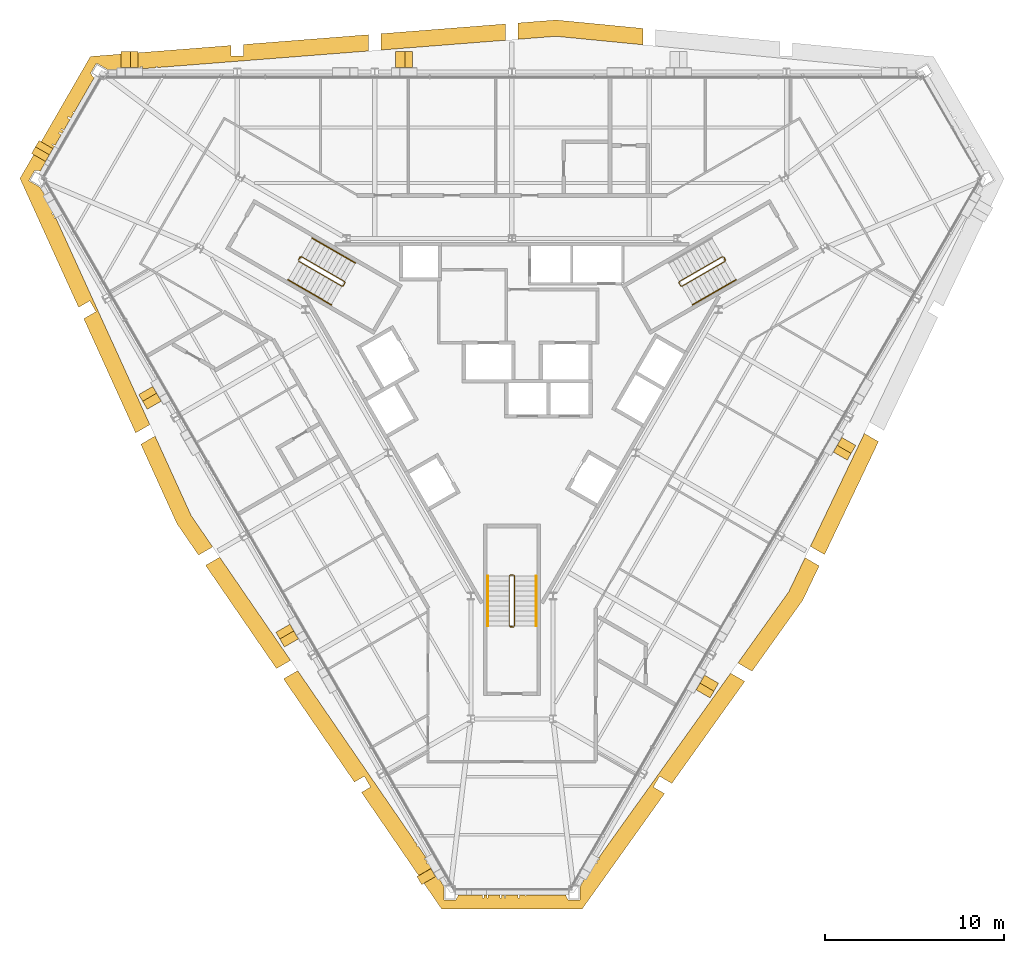
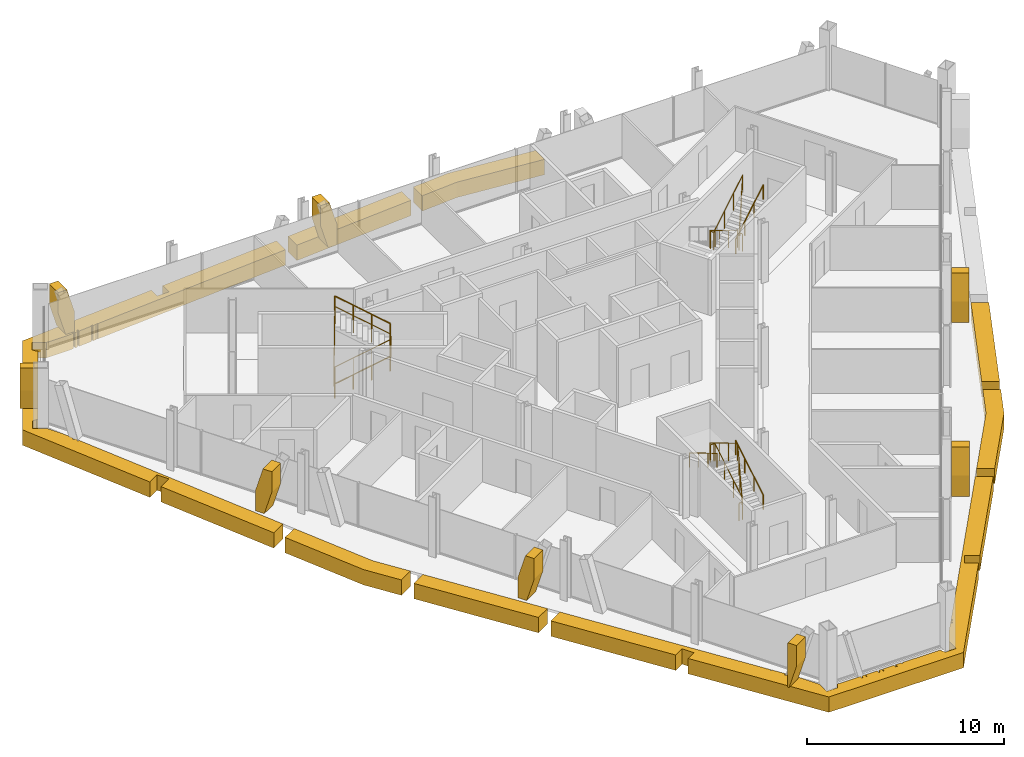
# One storey, part 12 of 13: 16 coverings, 8 railings.
"""IFC4 building model written with IfcOpenShell, lengths in metres."""

from ifc_helpers import new_model, si_unit, direction, frame, origin, origin_2d, place, context, subcontext, project, spatial, polyline, circle, outline, extrude, material, layer, layer_set, type_object, element, save


model = new_model("IFC4")

# Units and contexts
model_context = context("Model", 3, precision=1e-05, world=origin(), true_north=direction((0.0, 1.0)))
body_context = subcontext(model_context, "Body", "Model", "MODEL_VIEW")
ifc_project = project(units=[si_unit("LENGTHUNIT", "METRE"), si_unit("AREAUNIT", "SQUARE_METRE"), si_unit("VOLUMEUNIT", "CUBIC_METRE"), si_unit("PLANEANGLEUNIT", "RADIAN"), si_unit("MASSUNIT", "GRAM", prefix="KILO")], contexts=[model_context])

# Site, building, storey
site_placement = place(None, origin())
site = spatial("IfcSite", under=ifc_project, at=site_placement, CompositionType="ELEMENT")
building_placement = place(site_placement, origin())
building = spatial("IfcBuilding", under=site, at=building_placement, Name="Verrane Prism Tower", CompositionType="ELEMENT")
storey_placement = place(building_placement, frame((0.0, 0.0, 167.300048828125)))
storey = spatial("IfcBuildingStorey", under=building, at=storey_placement, Name="L41", CompositionType="ELEMENT", Elevation=167.300048828125)

# Railings
ifc_material_1 = material(Name="Steel A36 rail and posts, no infill", Category="steel")
railing_type_1 = type_object("IfcRailingType", Name="Stair guard 1100 steel rail and posts", PredefinedType="GUARDRAIL", material=ifc_material_1)
railing_1_placement = place(storey_placement, frame((11.78955078125, 6.97998046875, 0.168212890625)))
element("IfcRailing", 1, at=railing_1_placement, inside=storey, type_object=railing_type_1, Name="Stair 1 guard", PredefinedType="GUARDRAIL", context=body_context, shape_type="SweptSolid", body=[
    extrude(circle(Radius=0.02392578125, at=origin_2d()), frame((0.0, 0.0, 1.076171875), z_axis=(-0.742395268701, -0.428678701772, 0.514862928999), x_axis=(0.500049511043, -0.865996816683, 0.0)), (0.0, 0.0, 1.0), 3.26611328125),
    extrude(circle(Radius=0.02392578125, at=origin_2d()), frame((-2.4248046875, -1.400146484375, 2.7578125), z_axis=(-0.259601060869, -0.965715946433, 0.0), x_axis=(0.965715946433, -0.259601060869, 0.0)), (0.0, 0.0, 1.0), 0.070556640625),
    extrude(circle(Radius=0.02392578125, at=origin_2d()), frame((-2.443115234375, -1.46826171875, 2.7578125), z_axis=(0.499158860599, -0.866510491504, 0.0), x_axis=(0.866510491504, 0.499158860599, 0.0)), (0.0, 0.0, 1.0), 0.199951171875),
    extrude(circle(Radius=0.02392578125, at=origin_2d()), frame((-2.34326171875, -1.6416015625, 2.7578125), z_axis=(0.374585375571, -0.100335368456, 0.921747584887), x_axis=(0.258736085224, 0.965948051503, 0.0)), (0.0, 0.0, 1.0), 0.182373046875),
    extrude(circle(Radius=0.02392578125, at=origin_2d()), frame((-2.27490234375, -1.659912109375, 2.92578125), z_axis=(0.742366697286, 0.42866220388, 0.514917859203), x_axis=(-0.500049511043, 0.865996816683, 0.0)), (0.0, 0.0, 1.0), 3.266357421875),
    extrude(circle(Radius=0.02392578125, at=origin_2d()), frame((0.14990234375, -0.259765625, 4.60791015625), z_axis=(-0.021986835041, 0.065104730107, -0.997636182785), x_axis=(-0.947430582667, -0.3199613899, 0.0)), (0.0, 0.0, 1.0), 3.708740234375),
    extrude(circle(Radius=0.02392578125, at=origin_2d()), frame((0.068359375, -0.018310546875, 0.90771484375), z_axis=(0.499158860599, -0.866510491504, 0.0), x_axis=(0.866510491504, 0.499158860599, 0.0)), (0.0, 0.0, 1.0), 0.199951171875),
    extrude(circle(Radius=0.02099609375, at=origin_2d()), origin(), (0.0, 0.0, 1.0), 1.052001953125),
    extrude(circle(Radius=0.02099609375, at=origin_2d()), frame((-0.808349609375, -0.466796875, 0.560546875)), (0.0, 0.0, 1.0), 1.052001953125),
    extrude(circle(Radius=0.02099609375, at=origin_2d()), frame((-1.616455078125, -0.933349609375, 1.12109375)), (0.0, 0.0, 1.0), 1.052001953125),
    extrude(circle(Radius=0.02099609375, at=origin_2d()), frame((-2.4248046875, -1.400146484375, 1.681640625)), (0.0, 0.0, 1.0), 1.052001953125),
    extrude(circle(Radius=0.02099609375, at=origin_2d()), frame((-2.443115234375, -1.46826171875, 1.681640625)), (0.0, 0.0, 1.0), 1.052001953125),
    extrude(circle(Radius=0.02099609375, at=origin_2d()), frame((-2.34326171875, -1.6416015625, 1.681640625)), (0.0, 0.0, 1.0), 1.052001953125),
    extrude(circle(Radius=0.02099609375, at=origin_2d()), frame((-2.27490234375, -1.659912109375, 1.849853515625)), (0.0, 0.0, 1.0), 1.052001953125),
    extrude(circle(Radius=0.02099609375, at=origin_2d()), frame((-1.466552734375, -1.193115234375, 2.410400390625)), (0.0, 0.0, 1.0), 1.052001953125),
    extrude(circle(Radius=0.02099609375, at=origin_2d()), frame((-0.658447265625, -0.7265625, 2.97119140625)), (0.0, 0.0, 1.0), 1.052001953125),
    extrude(circle(Radius=0.02099609375, at=origin_2d()), frame((0.14990234375, -0.259765625, 3.53173828125)), (0.0, 0.0, 1.0), 1.052001953125),
    extrude(circle(Radius=0.02099609375, at=origin_2d()), frame((0.12939453125, -0.199462890625, 2.606689453125)), (0.0, 0.0, 1.0), 1.052001953125),
    extrude(circle(Radius=0.02099609375, at=origin_2d()), frame((0.109130859375, -0.13916015625, 1.681640625)), (0.0, 0.0, 1.0), 1.052001953125),
    extrude(circle(Radius=0.02099609375, at=origin_2d()), frame((0.0888671875, -0.07861328125, 0.7568359375)), (0.0, 0.0, 1.0), 1.052001953125),
    extrude(circle(Radius=0.02099609375, at=origin_2d()), frame((0.068359375, -0.018310546875, -0.168212890625)), (0.0, 0.0, 1.0), 1.052001953125),
    extrude(circle(Radius=0.02099609375, at=origin_2d()), frame((0.168212890625, -0.191650390625, -0.168212890625)), (0.0, 0.0, 1.0), 1.052001953125),
])
railing_2_placement = place(storey_placement, frame((-11.939453125, 6.72021484375, 0.168212890625)))
element("IfcRailing", 2, at=railing_2_placement, inside=storey, type_object=railing_type_1, Name="Stair 2 guard", PredefinedType="GUARDRAIL", context=body_context, shape_type="SweptSolid", body=[
    extrude(circle(Radius=0.02392578125, at=origin_2d()), frame((0.0, 0.0, 1.076171875), z_axis=(0.742395268701, -0.428678701772, 0.514862928999), x_axis=(0.500049511043, 0.865996816683, 0.0)), (0.0, 0.0, 1.0), 3.26611328125),
    extrude(circle(Radius=0.02392578125, at=origin_2d()), frame((2.4248046875, -1.400146484375, 2.7578125), z_axis=(0.965948051503, 0.258736085224, 0.0), x_axis=(-0.258736085224, 0.965948051503, 0.0)), (0.0, 0.0, 1.0), 0.07080078125),
    extrude(circle(Radius=0.02392578125, at=origin_2d()), frame((2.4931640625, -1.3818359375, 2.7578125), z_axis=(0.499158860599, 0.866510491504, 0.0), x_axis=(-0.866510491504, 0.499158860599, 0.0)), (0.0, 0.0, 1.0), 0.199951171875),
    extrude(circle(Radius=0.02392578125, at=origin_2d()), frame((2.593017578125, -1.20849609375, 2.7578125), z_axis=(-0.100385596638, 0.373434419493, 0.922209014446), x_axis=(-0.965715946433, -0.259601060869, 0.0)), (0.0, 0.0, 1.0), 0.182373046875),
    extrude(circle(Radius=0.02392578125, at=origin_2d()), frame((2.57470703125, -1.140380859375, 2.92578125), z_axis=(-0.742366697286, 0.42866220388, 0.514917859203), x_axis=(-0.500049511043, -0.865996816683, 0.0)), (0.0, 0.0, 1.0), 3.266357421875),
    extrude(circle(Radius=0.02392578125, at=origin_2d()), frame((0.14990234375, 0.259765625, 4.60791015625), z_axis=(-0.04535595117, -0.051675503147, -0.99763343973), x_axis=(0.751567565678, -0.659656118156, 0.0)), (0.0, 0.0, 1.0), 3.708740234375),
    extrude(circle(Radius=0.02392578125, at=origin_2d()), frame((-0.018310546875, 0.068115234375, 0.90771484375), z_axis=(0.499158860599, 0.866510491504, 0.0), x_axis=(-0.866510491504, 0.499158860599, 0.0)), (0.0, 0.0, 1.0), 0.199951171875),
    extrude(circle(Radius=0.02099609375, at=origin_2d()), origin(), (0.0, 0.0, 1.0), 1.052001953125),
    extrude(circle(Radius=0.02099609375, at=origin_2d()), frame((0.808349609375, -0.466796875, 0.560546875)), (0.0, 0.0, 1.0), 1.052001953125),
    extrude(circle(Radius=0.02099609375, at=origin_2d()), frame((1.616455078125, -0.933349609375, 1.12109375)), (0.0, 0.0, 1.0), 1.052001953125),
    extrude(circle(Radius=0.02099609375, at=origin_2d()), frame((2.4248046875, -1.400146484375, 1.681640625)), (0.0, 0.0, 1.0), 1.052001953125),
    extrude(circle(Radius=0.02099609375, at=origin_2d()), frame((2.4931640625, -1.3818359375, 1.681640625)), (0.0, 0.0, 1.0), 1.052001953125),
    extrude(circle(Radius=0.02099609375, at=origin_2d()), frame((2.593017578125, -1.20849609375, 1.681640625)), (0.0, 0.0, 1.0), 1.052001953125),
    extrude(circle(Radius=0.02099609375, at=origin_2d()), frame((2.57470703125, -1.140380859375, 1.849853515625)), (0.0, 0.0, 1.0), 1.052001953125),
    extrude(circle(Radius=0.02099609375, at=origin_2d()), frame((1.766357421875, -0.673583984375, 2.410400390625)), (0.0, 0.0, 1.0), 1.052001953125),
    extrude(circle(Radius=0.02099609375, at=origin_2d()), frame((0.958251953125, -0.20703125, 2.97119140625)), (0.0, 0.0, 1.0), 1.052001953125),
    extrude(circle(Radius=0.02099609375, at=origin_2d()), frame((0.14990234375, 0.259765625, 3.53173828125)), (0.0, 0.0, 1.0), 1.052001953125),
    extrude(circle(Radius=0.02099609375, at=origin_2d()), frame((0.10791015625, 0.2119140625, 2.606689453125)), (0.0, 0.0, 1.0), 1.052001953125),
    extrude(circle(Radius=0.02099609375, at=origin_2d()), frame((0.06591796875, 0.1640625, 1.681640625)), (0.0, 0.0, 1.0), 1.052001953125),
    extrude(circle(Radius=0.02099609375, at=origin_2d()), frame((0.023681640625, 0.115966796875, 0.7568359375)), (0.0, 0.0, 1.0), 1.052001953125),
    extrude(circle(Radius=0.02099609375, at=origin_2d()), frame((-0.018310546875, 0.068115234375, -0.168212890625)), (0.0, 0.0, 1.0), 1.052001953125),
    extrude(circle(Radius=0.02099609375, at=origin_2d()), frame((0.08154296875, 0.241455078125, -0.168212890625)), (0.0, 0.0, 1.0), 1.052001953125),
])
railing_3_placement = place(storey_placement, frame((0.14990234375, -13.699951171875, 0.168212890625)))
element("IfcRailing", 3, at=railing_3_placement, inside=storey, type_object=railing_type_1, Name="Stair 3 guard", PredefinedType="GUARDRAIL", context=body_context, shape_type="SweptSolid", body=[
    extrude(circle(Radius=0.02392578125, at=origin_2d()), frame((0.0, 0.0, 1.076171875), z_axis=(0.0, 0.857275202839, 0.514858452973), x_axis=(-1.0, 0.0, 0.0)), (0.0, 0.0, 1.0), 3.26611328125),
    extrude(circle(Radius=0.02392578125, at=origin_2d()), frame((0.0, 2.800048828125, 2.7578125), z_axis=(-0.707106781187, 0.707106781187, 0.0), x_axis=(-0.707106781187, -0.707106781187, 0.0)), (0.0, 0.0, 1.0), 0.0703125),
    extrude(circle(Radius=0.02392578125, at=origin_2d()), frame((-0.0498046875, 2.849853515625, 2.7578125), z_axis=(-1.0, 0.0, 0.0), x_axis=(0.0, -1.0, 0.0)), (0.0, 0.0, 1.0), 0.2001953125),
    extrude(circle(Radius=0.02392578125, at=origin_2d()), frame((-0.25, 2.849853515625, 2.7578125), z_axis=(-0.273106073848, -0.273106073848, 0.922402376869), x_axis=(0.707106781187, -0.707106781187, 0.0)), (0.0, 0.0, 1.0), 0.182373046875),
    extrude(circle(Radius=0.02392578125, at=origin_2d()), frame((-0.2998046875, 2.800048828125, 2.92578125), z_axis=(0.0, -0.857242210791, 0.514913383045), x_axis=(1.0, 0.0, 0.0)), (0.0, 0.0, 1.0), 3.266357421875),
    extrude(circle(Radius=0.02392578125, at=origin_2d()), frame((-0.2998046875, 0.0, 4.60791015625), z_axis=(0.067408604812, -0.013494886706, -0.997634185476), x_axis=(0.196300278283, 0.98054382908, 0.0)), (0.0, 0.0, 1.0), 3.708740234375),
    extrude(circle(Radius=0.02392578125, at=origin_2d()), frame((-0.0498046875, -0.050048828125, 0.90771484375), z_axis=(-1.0, 0.0, 0.0), x_axis=(0.0, -1.0, 0.0)), (0.0, 0.0, 1.0), 0.2001953125),
    extrude(circle(Radius=0.02099609375, at=origin_2d()), origin(), (0.0, 0.0, 1.0), 1.052001953125),
    extrude(circle(Radius=0.02099609375, at=origin_2d()), frame((0.0, 0.933349609375, 0.560546875)), (0.0, 0.0, 1.0), 1.052001953125),
    extrude(circle(Radius=0.02099609375, at=origin_2d()), frame((0.0, 1.86669921875, 1.12109375)), (0.0, 0.0, 1.0), 1.052001953125),
    extrude(circle(Radius=0.02099609375, at=origin_2d()), frame((0.0, 2.800048828125, 1.681640625)), (0.0, 0.0, 1.0), 1.052001953125),
    extrude(circle(Radius=0.02099609375, at=origin_2d()), frame((-0.0498046875, 2.849853515625, 1.681640625)), (0.0, 0.0, 1.0), 1.052001953125),
    extrude(circle(Radius=0.02099609375, at=origin_2d()), frame((-0.25, 2.849853515625, 1.681640625)), (0.0, 0.0, 1.0), 1.052001953125),
    extrude(circle(Radius=0.02099609375, at=origin_2d()), frame((-0.2998046875, 2.800048828125, 1.849853515625)), (0.0, 0.0, 1.0), 1.052001953125),
    extrude(circle(Radius=0.02099609375, at=origin_2d()), frame((-0.2998046875, 1.86669921875, 2.410400390625)), (0.0, 0.0, 1.0), 1.052001953125),
    extrude(circle(Radius=0.02099609375, at=origin_2d()), frame((-0.2998046875, 0.933349609375, 2.97119140625)), (0.0, 0.0, 1.0), 1.052001953125),
    extrude(circle(Radius=0.02099609375, at=origin_2d()), frame((-0.2998046875, 0.0, 3.53173828125)), (0.0, 0.0, 1.0), 1.052001953125),
    extrude(circle(Radius=0.02099609375, at=origin_2d()), frame((-0.2373046875, -0.012451171875, 2.606689453125)), (0.0, 0.0, 1.0), 1.052001953125),
    extrude(circle(Radius=0.02099609375, at=origin_2d()), frame((-0.1748046875, -0.02490234375, 1.681640625)), (0.0, 0.0, 1.0), 1.052001953125),
    extrude(circle(Radius=0.02099609375, at=origin_2d()), frame((-0.1123046875, -0.03759765625, 0.7568359375)), (0.0, 0.0, 1.0), 1.052001953125),
    extrude(circle(Radius=0.02099609375, at=origin_2d()), frame((-0.0498046875, -0.050048828125, -0.168212890625)), (0.0, 0.0, 1.0), 1.052001953125),
    extrude(circle(Radius=0.02099609375, at=origin_2d()), frame((-0.25, -0.050048828125, -0.168212890625)), (0.0, 0.0, 1.0), 1.052001953125),
])
ifc_material_2 = material(Name="Steel A36 tube", Category="steel")
railing_type_2 = type_object("IfcRailingType", Name="Stair handrail 900 steel tube", PredefinedType="HANDRAIL", material=ifc_material_2)
railing_4_placement = place(storey_placement, frame((10.11474609375, 4.28076171875, 2.01806640625)))
element("IfcRailing", 4, at=railing_4_placement, inside=storey, type_object=railing_type_2, Name="Stair 1 handrail", PredefinedType="HANDRAIL", context=body_context, shape_type="SweptSolid", body=[
    extrude(circle(Radius=0.02392578125, at=origin_2d()), frame((0.0, 0.0, 0.8759765625), z_axis=(0.742366697286, 0.42866220388, 0.514917859203), x_axis=(-0.500049511043, 0.865996816683, 0.0)), (0.0, 0.0, 1.0), 3.266357421875),
    extrude(circle(Radius=0.02099609375, at=origin_2d()), origin(), (0.0, 0.0, 1.0), 0.851806640625),
    extrude(circle(Radius=0.02099609375, at=origin_2d()), frame((0.808349609375, 0.466796875, 0.560546875)), (0.0, 0.0, 1.0), 0.851806640625),
    extrude(circle(Radius=0.02099609375, at=origin_2d()), frame((1.616455078125, 0.933349609375, 1.121337890625)), (0.0, 0.0, 1.0), 0.851806640625),
    extrude(circle(Radius=0.02099609375, at=origin_2d()), frame((2.4248046875, 1.400146484375, 1.681884765625)), (0.0, 0.0, 1.0), 0.851806640625),
])
railing_5_placement = place(storey_placement, frame((-12.53955078125, 5.680908203125, 0.168212890625)))
element("IfcRailing", 5, at=railing_5_placement, inside=storey, type_object=railing_type_2, Name="Stair 2 handrail", PredefinedType="HANDRAIL", context=body_context, shape_type="SweptSolid", body=[
    extrude(circle(Radius=0.02392578125, at=origin_2d()), frame((0.0, 0.0, 0.8759765625), z_axis=(0.742395268701, -0.428678701772, 0.514862928999), x_axis=(0.500049511043, 0.865996816683, 0.0)), (0.0, 0.0, 1.0), 3.26611328125),
    extrude(circle(Radius=0.02099609375, at=origin_2d()), origin(), (0.0, 0.0, 1.0), 0.851806640625),
    extrude(circle(Radius=0.02099609375, at=origin_2d()), frame((0.808349609375, -0.466796875, 0.560546875)), (0.0, 0.0, 1.0), 0.851806640625),
    extrude(circle(Radius=0.02099609375, at=origin_2d()), frame((1.616455078125, -0.933349609375, 1.12109375)), (0.0, 0.0, 1.0), 0.851806640625),
    extrude(circle(Radius=0.02099609375, at=origin_2d()), frame((2.4248046875, -1.400146484375, 1.681640625)), (0.0, 0.0, 1.0), 0.851806640625),
])
railing_6_placement = place(storey_placement, frame((-8.7646484375, 6.619140625, 2.01806640625)))
element("IfcRailing", 6, at=railing_6_placement, inside=storey, type_object=railing_type_2, Name="Stair 2 handrail", PredefinedType="HANDRAIL", context=body_context, shape_type="SweptSolid", body=[
    extrude(circle(Radius=0.02392578125, at=origin_2d()), frame((0.0, 0.0, 0.8759765625), z_axis=(-0.742390482028, 0.42860119049, 0.514934356695), x_axis=(-0.49998411664, -0.866034573852, 0.0)), (0.0, 0.0, 1.0), 3.26611328125),
    extrude(circle(Radius=0.02099609375, at=origin_2d()), origin(), (0.0, 0.0, 1.0), 0.851806640625),
    extrude(circle(Radius=0.02099609375, at=origin_2d()), frame((-0.808349609375, 0.466552734375, 0.560546875)), (0.0, 0.0, 1.0), 0.851806640625),
    extrude(circle(Radius=0.02099609375, at=origin_2d()), frame((-1.616455078125, 0.933349609375, 1.121337890625)), (0.0, 0.0, 1.0), 0.851806640625),
    extrude(circle(Radius=0.02099609375, at=origin_2d()), frame((-2.4248046875, 1.39990234375, 1.681884765625)), (0.0, 0.0, 1.0), 0.851806640625),
])
railing_7_placement = place(storey_placement, frame((1.35009765625, -13.699951171875, 0.168212890625)))
element("IfcRailing", 7, at=railing_7_placement, inside=storey, type_object=railing_type_2, Name="Stair 3 handrail", PredefinedType="HANDRAIL", context=body_context, shape_type="SweptSolid", body=[
    extrude(circle(Radius=0.02392578125, at=origin_2d()), frame((0.0, 0.0, 0.8759765625), z_axis=(0.0, 0.857275202839, 0.514858452973), x_axis=(-1.0, 0.0, 0.0)), (0.0, 0.0, 1.0), 3.26611328125),
    extrude(circle(Radius=0.02099609375, at=origin_2d()), origin(), (0.0, 0.0, 1.0), 0.851806640625),
    extrude(circle(Radius=0.02099609375, at=origin_2d()), frame((0.0, 0.933349609375, 0.560546875)), (0.0, 0.0, 1.0), 0.851806640625),
    extrude(circle(Radius=0.02099609375, at=origin_2d()), frame((0.0, 1.86669921875, 1.12109375)), (0.0, 0.0, 1.0), 0.851806640625),
    extrude(circle(Radius=0.02099609375, at=origin_2d()), frame((0.0, 2.800048828125, 1.681640625)), (0.0, 0.0, 1.0), 0.851806640625),
])
railing_8_placement = place(storey_placement, frame((-1.35009765625, -10.89990234375, 2.01806640625)))
element("IfcRailing", 8, at=railing_8_placement, inside=storey, type_object=railing_type_2, Name="Stair 3 handrail", PredefinedType="HANDRAIL", context=body_context, shape_type="SweptSolid", body=[
    extrude(circle(Radius=0.02392578125, at=origin_2d()), frame((0.0, 0.0, 0.8759765625), z_axis=(0.0, -0.857242210791, 0.514913383045), x_axis=(1.0, 0.0, 0.0)), (0.0, 0.0, 1.0), 3.266357421875),
    extrude(circle(Radius=0.02099609375, at=origin_2d()), origin(), (0.0, 0.0, 1.0), 0.851806640625),
    extrude(circle(Radius=0.02099609375, at=origin_2d()), frame((0.0, -0.933349609375, 0.560546875)), (0.0, 0.0, 1.0), 0.851806640625),
    extrude(circle(Radius=0.02099609375, at=origin_2d()), frame((0.0, -1.86669921875, 1.121337890625)), (0.0, 0.0, 1.0), 0.851806640625),
    extrude(circle(Radius=0.02099609375, at=origin_2d()), frame((0.0, -2.800048828125, 1.681884765625)), (0.0, 0.0, 1.0), 0.851806640625),
])

# Coverings
ifc_material_3 = material(Name="Warm limestone cladding", Category="masonry")
ifc_layer_1 = layer(ifc_material_3, 0.89990234375)
ifc_layer_set_1 = layer_set([ifc_layer_1], Name="Stone brace fin 900")
covering_type_1 = type_object("IfcCoveringType", Name="Stone brace fin 900", PredefinedType="CLADDING", material=ifc_layer_set_1)
for number, where, z_axis, x_axis, name in (
    (9, (-5.560302734375, 18.013916015625, 0.0), (0.0, 0.0, 1.0), (-1.0, 0.0, 0.0), "Stone brace fin N4 L41"),
    (10, (-20.930419921875, 18.013916015625, 0.0), (0.0, 0.0, 1.0), (-1.0, 0.0, 0.0), "Stone brace fin N6 L41"),
):
    element("IfcCovering", number, at=place(storey_placement, frame(where, z_axis=z_axis, x_axis=x_axis)), inside=storey, type_object=covering_type_1, Name=name, PredefinedType="CLADDING", context=body_context, shape_type="SweptSolid", body=[
        extrude(outline(polyline([(0.94775390625, 2.75), (0.434814453125, 2.75), (0.0, 1.283203125), (0.0, 0.0), (0.509033203125, 0.0), (0.94775390625, 1.4794921875), (0.94775390625, 2.75)])), frame((0.0, 0.449951171875, 0.0), z_axis=(0.0, -1.0, 0.0), x_axis=(1.0, 0.0, 0.0)), (0.0, 0.0, 1.0), 0.89990234375),
    ])
covering_1_placement = place(storey_placement, frame((-20.49951171875, -0.516845703125, 0.0), z_axis=(0.0, 0.0, 1.0), x_axis=(0.500294765972, -0.865855153672, 0.0)))
element("IfcCovering", 11, at=covering_1_placement, inside=storey, type_object=covering_type_1, Name="Stone brace fin SW2 L41", PredefinedType="CLADDING", context=body_context, shape_type="SweptSolid", body=[
    extrude(outline(polyline([(0.947509765625, 2.75), (0.434814453125, 2.75), (0.0, 1.283203125), (0.0, 0.0), (0.509033203125, 0.0), (0.947509765625, 1.4794921875), (0.947509765625, 2.75)])), frame((0.0, 0.449951171875, 0.0), z_axis=(0.0, -1.0, 0.0), x_axis=(1.0, 0.0, 0.0)), (0.0, 0.0, 1.0), 0.89990234375),
])
covering_2_placement = place(storey_placement, frame((-12.819580078125, -13.823486328125, 0.0), z_axis=(0.0, 0.0, 1.0), x_axis=(0.499432848119, -0.866352601554, 0.0)))
element("IfcCovering", 12, at=covering_2_placement, inside=storey, type_object=covering_type_1, Name="Stone brace fin SW4 L41", PredefinedType="CLADDING", context=body_context, shape_type="SweptSolid", body=[
    extrude(outline(polyline([(0.94873046875, 2.75), (0.435302734375, 2.75), (0.0, 1.283203125), (0.0, 0.0), (0.509521484375, 0.0), (0.94873046875, 1.4794921875), (0.94873046875, 2.75)])), frame((0.0, 0.449951171875, 0.0), z_axis=(0.0, -1.0, 0.0), x_axis=(1.0, 0.0, 0.0)), (0.0, 0.0, 1.0), 0.89990234375),
])
covering_3_placement = place(storey_placement, frame((-4.92626953125, -27.49609375, 0.0), z_axis=(0.0, 0.0, 1.0), x_axis=(0.500168359116, -0.865928179781, 0.0)))
element("IfcCovering", 13, at=covering_3_placement, inside=storey, type_object=covering_type_1, Name="Stone brace fin SW6 L41", PredefinedType="CLADDING", context=body_context, shape_type="SweptSolid", body=[
    extrude(outline(polyline([(0.521240234375, 2.75), (0.00830078125, 2.75), (0.0, 2.721435546875), (0.0, 0.0), (0.08251953125, 0.0), (0.521240234375, 1.4794921875), (0.521240234375, 2.75)])), frame((0.0, 0.449951171875, 0.0), z_axis=(0.0, -1.0, 0.0), x_axis=(1.0, 0.0, 0.0)), (0.0, 0.0, 1.0), 0.89990234375),
])
for number, where, z_axis, x_axis, name in (
    (14, (10.69970703125, -17.497314453125, 0.0), (0.0, 0.0, 1.0), (0.500101590855, 0.865966742331, 0.0), "Stone brace fin SE2 L41"),
    (15, (18.3798828125, -4.1875, 0.0), (0.0, 0.0, 1.0), (0.499990030109, 0.866031159827, 0.0), "Stone brace fin SE4 L41"),
):
    element("IfcCovering", number, at=place(storey_placement, frame(where, z_axis=z_axis, x_axis=x_axis)), inside=storey, type_object=covering_type_1, Name=name, PredefinedType="CLADDING", context=body_context, shape_type="SweptSolid", body=[
        extrude(outline(polyline([(0.947509765625, 2.75), (0.434814453125, 2.75), (0.0, 1.283203125), (0.0, 0.0), (0.509033203125, 0.0), (0.947509765625, 1.4794921875), (0.947509765625, 2.75)])), frame((0.0, 0.449951171875, 0.0), z_axis=(0.0, -1.0, 0.0), x_axis=(1.0, 0.0, 0.0)), (0.0, 0.0, 1.0), 0.89990234375),
    ])
covering_4_placement = place(storey_placement, frame((-26.0830078125, 13.2490234375, 0.0), z_axis=(0.0, 0.0, 1.0), x_axis=(-0.498884344538, -0.866668570317, 0.0)))
element("IfcCovering", 16, at=covering_4_placement, inside=storey, type_object=covering_type_1, Name="Stone brace fin NW1 L41", PredefinedType="CLADDING", context=body_context, shape_type="SweptSolid", body=[
    extrude(outline(polyline([(0.832275390625, 2.75), (0.399658203125, 2.75), (0.0, 1.25732421875), (0.0, 0.0), (0.466552734375, 0.0), (0.832275390625, 1.365478515625), (0.832275390625, 2.75)])), frame((0.0, 0.449951171875, 0.0), z_axis=(0.0, -1.0, 0.0), x_axis=(1.0, 0.0, 0.0)), (0.0, 0.0, 1.0), 0.89990234375),
])
ifc_material_4 = material(Name="Warm limestone cladding", Category="masonry")
ifc_layer_2 = layer(ifc_material_4, 0.449951171875)
ifc_layer_set_2 = layer_set([ifc_layer_2], Name="Stone spandrel band 450")
covering_type_2 = type_object("IfcCoveringType", Name="Stone spandrel band 450", PredefinedType="CLADDING", material=ifc_layer_set_2)
covering_5_placement = place(storey_placement, frame((0.0, 0.0, -0.949951171875)))
element("IfcCovering", 17, at=covering_5_placement, inside=storey, type_object=covering_type_2, Name="Stone spandrel band L41 part 1", PredefinedType="CLADDING", context=body_context, shape_type="SweptSolid", body=[
    extrude(outline(polyline([(3.93505859375, -29.52490234375), (8.541748046875, -23.077880859375), (7.911865234375, -22.71435546875), (8.261962890625, -22.108154296875), (8.95068359375, -22.505859375), (13.029296875, -16.797607421875), (12.23779296875, -16.3408203125), (4.852783203125, -26.67578125), (4.9130859375, -26.710693359375), (4.8642578125, -26.79541015625), (4.795654296875, -26.755615234375), (4.708251953125, -26.877685546875), (4.78955078125, -26.9248046875), (4.74267578125, -27.006103515625), (4.653564453125, -26.95458984375), (4.268798828125, -27.492919921875), (3.800048828125, -28.304931640625), (3.800048828125, -29.0400390625), (3.139892578125, -29.0400390625), (3.139892578125, -29.01806640625), (3.029296875, -28.828857421875), (3.029296875, -28.748291015625), (0.799560546875, -28.748291015625), (0.822998046875, -28.771240234375), (0.775390625, -28.81982421875), (0.702392578125, -28.748291015625), (0.41650390625, -28.748291015625), (0.41650390625, -28.909912109375), (0.32470703125, -28.909912109375), (0.32470703125, -28.748291015625), (-0.358642578125, -28.748291015625), (-0.358642578125, -28.909912109375), (-0.41650390625, -28.909912109375), (-0.41650390625, -28.748291015625), (-0.574951171875, -28.748291015625), (-0.574951171875, -28.909912109375), (-0.666748046875, -28.909912109375), (-0.666748046875, -28.748291015625), (-1.35009765625, -28.748291015625), (-1.35009765625, -28.909912109375), (-1.407958984375, -28.909912109375), (-1.407958984375, -28.748291015625), (-1.56640625, -28.748291015625), (-1.56640625, -28.909912109375), (-1.658203125, -28.909912109375), (-1.658203125, -28.748291015625), (-3.029296875, -28.748291015625), (-3.029296875, -28.828857421875), (-3.139892578125, -29.01806640625), (-3.139892578125, -29.0400390625), (-3.800048828125, -29.0400390625), (-3.800048828125, -28.304931640625), (-4.432861328125, -27.208984375), (-4.62060546875, -26.935546875), (-4.74267578125, -27.006103515625), (-4.78955078125, -26.9248046875), (-4.673828125, -26.85791015625), (-4.7587890625, -26.734375), (-4.8642578125, -26.79541015625), (-4.9130859375, -26.710693359375), (-4.814208984375, -26.653564453125), (-5.24365234375, -26.028564453125), (-5.291259765625, -26.055908203125), (-5.338134765625, -25.974609375), (-5.296875, -25.950927734375), (-5.4013671875, -25.798583984375), (-5.430419921875, -25.811279296875), (-5.47119140625, -25.716552734375), (-5.4609375, -25.712158203125), (-11.994384765625, -16.2001953125), (-12.78466796875, -16.656494140625), (-8.819091796875, -22.4296875), (-8.261962890625, -22.108154296875), (-7.911865234375, -22.71435546875), (-8.42138671875, -23.008544921875), (-3.94580078125, -29.52490234375), (3.93505859375, -29.52490234375)])), origin(), (0.0, 0.0, 1.0), 0.949951171875),
])
covering_6_placement = place(storey_placement, frame((0.0, 0.0, -0.949951171875)))
element("IfcCovering", 18, at=covering_6_placement, inside=storey, type_object=covering_type_2, Name="Stone spandrel band L41 part 3", PredefinedType="CLADDING", context=body_context, shape_type="SweptSolid", body=[
    extrude(outline(polyline([(-21.06201171875, -2.885009765625), (-20.270263671875, -2.427978515625), (-25.52783203125, 9.134521484375), (-25.58642578125, 9.1005859375), (-25.63525390625, 9.185302734375), (-25.568603515625, 9.223876953125), (-25.630615234375, 9.360595703125), (-25.7099609375, 9.314697265625), (-25.7568359375, 9.39599609375), (-25.669677734375, 9.4462890625), (-25.94384765625, 10.049560546875), (-26.413818359375, 10.86328125), (-27.04736328125, 11.229248046875), (-26.71728515625, 11.80078125), (-26.698486328125, 11.789794921875), (-26.482177734375, 11.789794921875), (-26.412109375, 11.74951171875), (-25.72607421875, 12.937744140625), (-25.86669921875, 13.018798828125), (-25.821044921875, 13.09814453125), (-25.680419921875, 13.01708984375), (-25.60107421875, 13.154296875), (-25.741943359375, 13.235595703125), (-25.713134765625, 13.285400390625), (-25.572265625, 13.204345703125), (-25.230712890625, 13.795654296875), (-25.37255859375, 13.877197265625), (-25.32666015625, 13.956787109375), (-25.184814453125, 13.875), (-25.105712890625, 14.012451171875), (-25.24755859375, 14.093994140625), (-25.21875, 14.14404296875), (-25.076904296875, 14.0625), (-24.7353515625, 14.653564453125), (-24.878173828125, 14.73583984375), (-24.83251953125, 14.815185546875), (-24.689697265625, 14.733154296875), (-24.54833984375, 14.9775390625), (-24.5751953125, 15.081298828125), (-24.50927734375, 15.098388671875), (-24.499755859375, 15.061767578125), (-23.383056640625, 16.99609375), (-23.45751953125, 17.0390625), (-23.568359375, 17.228271484375), (-23.58740234375, 17.2392578125), (-23.25732421875, 17.810791015625), (-22.62109375, 17.443359375), (-21.34716796875, 17.443359375), (-21.0244140625, 17.46875), (-21.0244140625, 17.610107421875), (-20.930419921875, 17.610107421875), (-20.930419921875, 17.47607421875), (-20.781005859375, 17.48779296875), (-20.781005859375, 17.610107421875), (-20.683349609375, 17.610107421875), (-20.683349609375, 17.495361328125), (-19.92724609375, 17.5546875), (-19.92724609375, 17.610107421875), (-19.833251953125, 17.610107421875), (-19.833251953125, 17.56201171875), (-19.6494140625, 17.576416015625), (-19.6455078125, 17.60791015625), (-19.543212890625, 17.59619140625), (-19.54443359375, 17.584716796875), (-8.03271484375, 18.4873046875), (-8.03271484375, 19.39990234375), (-15.01513671875, 18.852294921875), (-15.01513671875, 18.2119140625), (-15.715087890625, 18.2119140625), (-15.715087890625, 18.797607421875), (-23.59619140625, 18.1796875), (-27.536865234375, 11.3544921875), (-24.257080078125, 4.1416015625), (-23.63037109375, 4.50341796875), (-23.280517578125, 3.897216796875), (-23.9658203125, 3.50146484375), (-21.06201171875, -2.885009765625)])), origin(), (0.0, 0.0, 1.0), 0.949951171875),
])
covering_7_placement = place(storey_placement, frame((0.0, 0.0, -0.949951171875)))
element("IfcCovering", 19, at=covering_7_placement, inside=storey, type_object=covering_type_2, Name="Stone spandrel band L41 part 4", PredefinedType="CLADDING", context=body_context, shape_type="SweptSolid", body=[
    extrude(outline(polyline([(-17.545166015625, -9.7255859375), (-16.7548828125, -9.269287109375), (-17.9521484375, -7.52587890625), (-19.979248046875, -3.068115234375), (-20.770751953125, -3.525146484375), (-18.747314453125, -7.97509765625), (-17.545166015625, -9.7255859375)])), origin(), (0.0, 0.0, 1.0), 0.949951171875),
])
covering_8_placement = place(storey_placement, frame((0.0, 0.0, -0.949951171875)))
element("IfcCovering", 20, at=covering_8_placement, inside=storey, type_object=covering_type_2, Name="Stone spandrel band L41 part 5", PredefinedType="CLADDING", context=body_context, shape_type="SweptSolid", body=[
    extrude(outline(polyline([(-12.391845703125, -15.621337890625), (-16.357177734375, -9.847900390625), (-17.147705078125, -10.30419921875), (-13.18212890625, -16.07763671875), (-12.391845703125, -15.621337890625)])), origin(), (0.0, 0.0, 1.0), 0.949951171875),
])
covering_9_placement = place(storey_placement, frame((0.0, 0.0, -0.949951171875)))
element("IfcCovering", 21, at=covering_9_placement, inside=storey, type_object=covering_type_2, Name="Stone spandrel band L41 part 6", PredefinedType="CLADDING", context=body_context, shape_type="SweptSolid", body=[
    extrude(outline(polyline([(16.40478515625, -9.87548828125), (15.49365234375, -11.7841796875), (12.646484375, -15.7685546875), (13.438232421875, -16.2255859375), (16.280517578125, -12.248046875), (17.195068359375, -10.331787109375), (16.40478515625, -9.87548828125)])), origin(), (0.0, 0.0, 1.0), 0.949951171875),
])
covering_10_placement = place(storey_placement, frame((0.0, 0.0, -0.949951171875)))
element("IfcCovering", 22, at=covering_10_placement, inside=storey, type_object=covering_type_2, Name="Stone spandrel band L41 part 7", PredefinedType="CLADDING", context=body_context, shape_type="SweptSolid", body=[
    extrude(outline(polyline([(20.5146484375, -3.377197265625), (19.724365234375, -2.9208984375), (16.707275390625, -9.24169921875), (17.49755859375, -9.697998046875), (20.5146484375, -3.377197265625)])), origin(), (0.0, 0.0, 1.0), 0.949951171875),
])
covering_11_placement = place(storey_placement, frame((0.0, 0.0, -0.949951171875)))
element("IfcCovering", 23, at=covering_11_placement, inside=storey, type_object=covering_type_2, Name="Stone spandrel band L41 part 8", PredefinedType="CLADDING", context=body_context, shape_type="SweptSolid", body=[
    extrude(outline(polyline([(0.35009765625, 20.057373046875), (0.35009765625, 19.144775390625), (2.45849609375, 19.31005859375), (7.33251953125, 18.83642578125), (7.33251953125, 19.75048828125), (2.466796875, 20.223388671875), (0.35009765625, 20.057373046875)])), origin(), (0.0, 0.0, 1.0), 0.949951171875),
])
covering_12_placement = place(storey_placement, frame((0.0, 0.0, -0.949951171875)))
element("IfcCovering", 24, at=covering_12_placement, inside=storey, type_object=covering_type_2, Name="Stone spandrel band L41 part 9", PredefinedType="CLADDING", context=body_context, shape_type="SweptSolid", body=[
    extrude(outline(polyline([(-7.33251953125, 18.542236328125), (-0.35009765625, 19.08984375), (-0.35009765625, 20.00244140625), (-7.33251953125, 19.454833984375), (-7.33251953125, 18.542236328125)])), origin(), (0.0, 0.0, 1.0), 0.949951171875),
])

save(model, "model.ifc")
